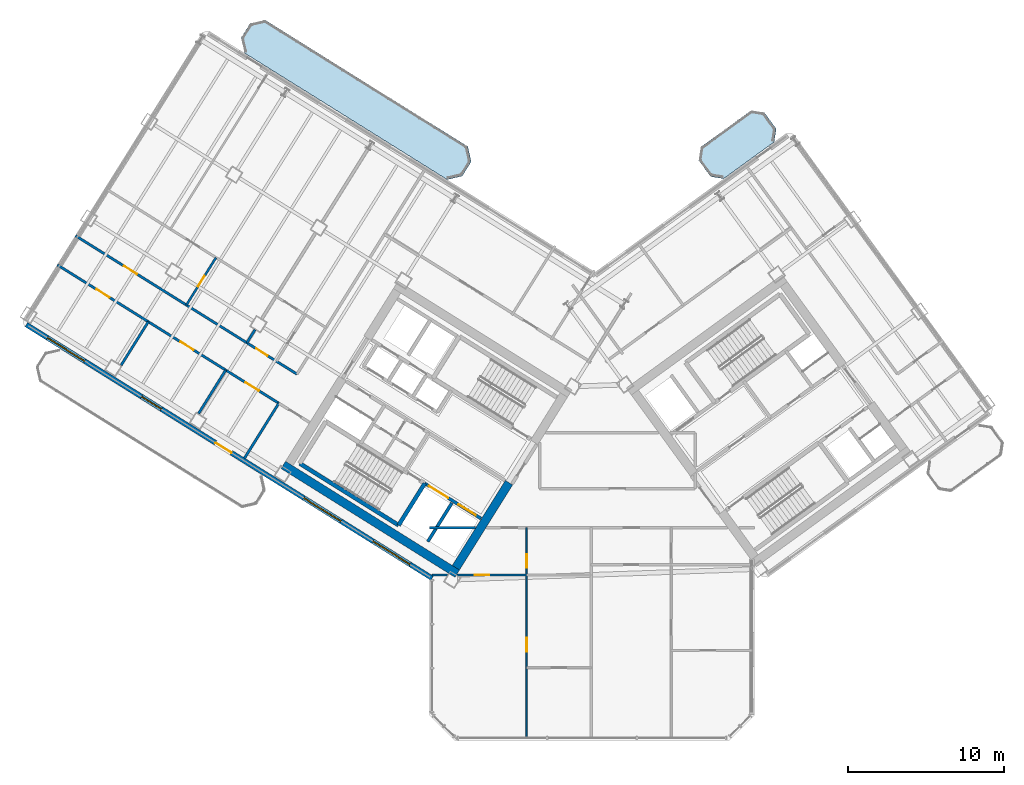
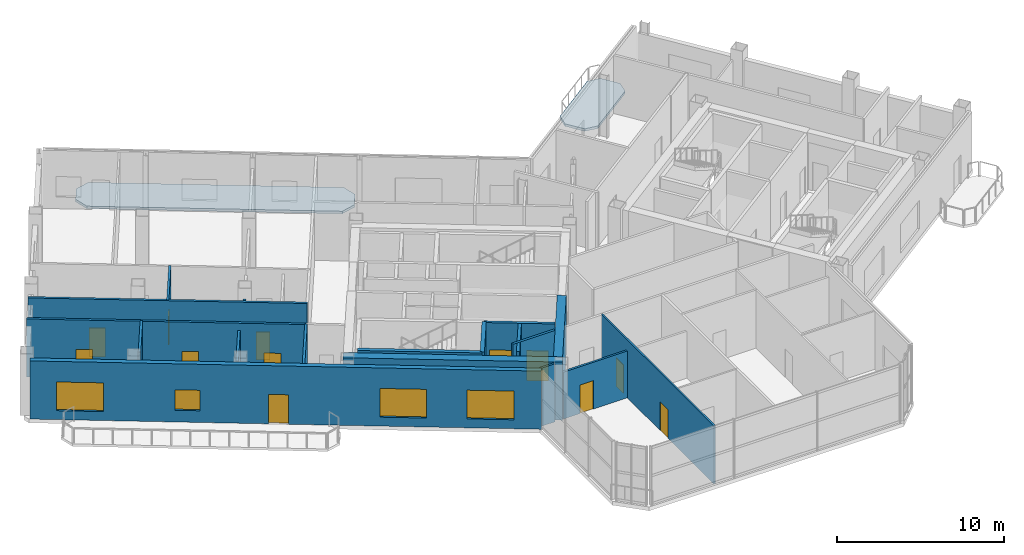
# One storey, part 11 of 21: 18 walls, 12 doors, 4 windows, 2 slabs, 16 openings.
"""IFC4 building model written with IfcOpenShell, lengths in metres."""

import ifcopenshell
import ifcopenshell.guid

model = None  # the IFC model being written
_history = None  # IfcOwnerHistory: only IFC2X3 demands one
_inside = {}  # id of a spatial element -> (the spatial element, [elements in it])
_under = {}  # id of a project, library or spatial element -> (it, [spatial elements below it])
_declared = {}  # id of a project -> (the project, [libraries it declares])
_typed = {}  # id of a type object -> (the type object, [elements of that type])
_made_of = {}  # id of a material, layer set ... -> (it, [elements and type objects made of it])


def new_model(schema):
    """Start an empty IFC model of exactly this schema.

    Asked for "IFC4X3", IfcOpenShell would pick the latest addendum, in which some entities
    have other attributes; the version numbers below select the first issue.
    IFC2X3 requires an IfcOwnerHistory on every rooted entity: one is made here for all.
    """
    global model, _history
    if schema == "IFC4X3":
        model = ifcopenshell.file(schema_version=(4, 3, 0, 0))
    else:
        model = ifcopenshell.file(schema=schema)
    _inside.clear()
    _under.clear()
    _declared.clear()
    _typed.clear()
    _made_of.clear()
    _history = None
    if model.schema == "IFC2X3":
        org = make("IfcOrganization", Name="unknown")
        user = make(
            "IfcPersonAndOrganization",
            ThePerson=make("IfcPerson", FamilyName="unknown"),
            TheOrganization=org,
        )
        app = make(
            "IfcApplication",
            ApplicationDeveloper=org,
            Version="unknown",
            ApplicationFullName="unknown",
            ApplicationIdentifier="unknown",
        )
        _history = make(
            "IfcOwnerHistory",
            OwningUser=user,
            OwningApplication=app,
            ChangeAction="ADDED",
            CreationDate=0,
        )
    return model


def make(cls, **values):
    """One entity of the class cls with the attributes given. An attribute that is None is left unset."""
    return model.create_entity(
        cls, **{name: value for name, value in values.items() if value is not None}
    )


def rooted(cls, **values):
    """An entity with a GlobalId (a new one), such as an element, a storey or a relation."""
    return make(cls, GlobalId=ifcopenshell.guid.new(), OwnerHistory=_history, **values)


def si_unit(unit_type, name, prefix=None):
    """IfcSIUnit, for example si_unit("LENGTHUNIT", "METRE", prefix="MILLI")."""
    return make("IfcSIUnit", UnitType=unit_type, Prefix=prefix, Name=name)


def assignment(units):
    """IfcUnitAssignment: the units of a project."""
    return None if units is None else make("IfcUnitAssignment", Units=units)


def point(xyz):
    """IfcCartesianPoint."""
    return None if xyz is None else make("IfcCartesianPoint", Coordinates=xyz)


def direction(xyz):
    """IfcDirection."""
    return None if xyz is None else make("IfcDirection", DirectionRatios=xyz)


def frame(location, z_axis=None, x_axis=None):
    """IfcAxis2Placement3D, a coordinate frame: its origin and axes. An axis left out is left unset."""
    return make(
        "IfcAxis2Placement3D",
        Location=point(location),
        Axis=direction(z_axis),
        RefDirection=direction(x_axis),
    )


def frame_2d(location, x_axis=None):
    """IfcAxis2Placement2D, a coordinate frame in the plane: its origin and x axis."""
    return make(
        "IfcAxis2Placement2D", Location=point(location), RefDirection=direction(x_axis)
    )


def origin():
    """The frame at (0, 0, 0) with its axes left unset."""
    return frame((0.0, 0.0, 0.0))


def place(relative_to, where):
    """IfcLocalPlacement: puts the frame where relative to a parent placement (None: the world)."""
    return make(
        "IfcLocalPlacement", PlacementRelTo=relative_to, RelativePlacement=where
    )


def context(
    kind, dimensions, precision=None, world=None, true_north=None, identifier=None
):
    """IfcGeometricRepresentationContext, for example the 3D "Model" context."""
    return make(
        "IfcGeometricRepresentationContext",
        ContextIdentifier=identifier,
        ContextType=kind,
        CoordinateSpaceDimension=dimensions,
        Precision=precision,
        WorldCoordinateSystem=world,
        TrueNorth=true_north,
    )


def subcontext(parent, identifier, kind, view, scale=None):
    """IfcGeometricRepresentationSubContext, for example "Body" below "Model"."""
    return make(
        "IfcGeometricRepresentationSubContext",
        ContextIdentifier=identifier,
        ContextType=kind,
        ParentContext=parent,
        TargetScale=scale,
        TargetView=view,
    )


def project(units=None, contexts=None):
    """IfcProject with its units and contexts."""
    return rooted(
        "IfcProject",
        Name="project",
        RepresentationContexts=contexts,
        UnitsInContext=assignment(units),
    )


def spatial(cls, under=None, at=None, **own):
    """A site, building, storey or space (cls), placed at a placement, below another one or the project."""
    s = rooted(cls, ObjectPlacement=at, **own)
    if under is not None:
        _under.setdefault(under.id(), (under, []))[1].append(s)
    return s


def polyline(points):
    """IfcPolyline through the points."""
    return make("IfcPolyline", Points=[point(p) for p in points])


def profile(cls, at=None, kind="AREA", **sizes):
    """A parametric profile (cls). Its sizes go by their IFC names, for example OverallWidth=200.0."""
    return make(cls, ProfileType=kind, Position=at, **sizes)


def rectangle(**sizes):
    """IfcRectangleProfileDef."""
    return profile("IfcRectangleProfileDef", **sizes)


def outline(outer, holes=None, kind="AREA"):
    """IfcArbitraryClosedProfileDef: a profile drawn as a closed curve; with holes, ...WithVoids."""
    if holes is None:
        return make("IfcArbitraryClosedProfileDef", ProfileType=kind, OuterCurve=outer)
    return make(
        "IfcArbitraryProfileDefWithVoids",
        ProfileType=kind,
        OuterCurve=outer,
        InnerCurves=holes,
    )


def extrude(swept, where, along, depth):
    """IfcExtrudedAreaSolid: the profile swept, set in the frame where, extruded along a direction by depth."""
    return make(
        "IfcExtrudedAreaSolid",
        SweptArea=swept,
        Position=where,
        ExtrudedDirection=direction(along),
        Depth=depth,
    )


def shape(context_of_items, identifier, shape_type, items):
    """IfcShapeRepresentation: the items that make up one representation, for example the "Body"."""
    return make(
        "IfcShapeRepresentation",
        ContextOfItems=context_of_items,
        RepresentationIdentifier=identifier,
        RepresentationType=shape_type,
        Items=items,
    )


def source(mapping_origin, context_of_items, identifier, shape_type, items):
    """IfcRepresentationMap: a shape defined once, which mapped items show again and again."""
    return make(
        "IfcRepresentationMap",
        MappingOrigin=mapping_origin,
        MappedRepresentation=shape(context_of_items, identifier, shape_type, items),
    )


def transform(
    local_origin,
    x_axis=None,
    y_axis=None,
    z_axis=None,
    scale=None,
    scale2=None,
    scale3=None,
    uniform=True,
):
    """IfcCartesianTransformationOperator3D, or its non-uniform kind. x_axis, y_axis, z_axis: its Axis1, 2, 3."""
    if uniform:
        return make(
            "IfcCartesianTransformationOperator3D",
            Axis1=direction(x_axis),
            Axis2=direction(y_axis),
            LocalOrigin=point(local_origin),
            Scale=scale,
            Axis3=direction(z_axis),
        )
    return make(
        "IfcCartesianTransformationOperator3DnonUniform",
        Axis1=direction(x_axis),
        Axis2=direction(y_axis),
        LocalOrigin=point(local_origin),
        Scale=scale,
        Axis3=direction(z_axis),
        Scale2=scale2,
        Scale3=scale3,
    )


def mapped(mapping_source, mapping_target):
    """IfcMappedItem: shows the shape of a source again, moved by a transform."""
    return make(
        "IfcMappedItem", MappingSource=mapping_source, MappingTarget=mapping_target
    )


def material(Name=None, Category=None):
    """IfcMaterial."""
    return make("IfcMaterial", Name=Name, Category=Category)


def layer(
    of_material, thickness, ventilated=None, Name=None, Category=None, Priority=None
):
    """IfcMaterialLayer: one layer of a wall or slab, of a material (None: an air gap)."""
    return make(
        "IfcMaterialLayer",
        Material=of_material,
        LayerThickness=thickness,
        IsVentilated=ventilated,
        Name=Name,
        Category=Category,
        Priority=Priority,
    )


def layer_set(layers, Name=None):
    """IfcMaterialLayerSet."""
    return make("IfcMaterialLayerSet", MaterialLayers=layers, LayerSetName=Name)


def made_of(thing, what):
    """Note that an element or type object is made of a material, layer set ...; save() writes the relation."""
    if what is not None:
        _made_of.setdefault(what.id(), (what, []))[1].append(thing)
    return thing


def type_object(cls, material=None, **own):
    """A type object (cls), such as IfcWallType, which elements share."""
    return made_of(rooted(cls, **own), material)


def element(
    cls,
    number,
    at=None,
    inside=None,
    cuts=None,
    type_object=None,
    material=None,
    context=None,
    identifier="Body",
    shape_type=None,
    held_by="IfcProductDefinitionShape",
    body=None,
    shapes=None,
    **own,
):
    """One element of the class cls, such as IfcWall. Its Tag is "e" and its number.

    at: its placement. inside: the storey or other place that contains it. cuts: it is an
    opening in that element (IfcRelVoidsElement). A single representation is given by context,
    identifier, shape_type and body (its items); several are given by shapes. held_by: the class
    of the entity that holds the representations. save() writes the other relations.
    """
    e = rooted(cls, Tag="e%d" % number, ObjectPlacement=at, **own)
    if body is not None:
        shapes = [shape(context, identifier, shape_type, body)]
    if shapes is not None:
        e.Representation = make(held_by, Representations=shapes)
    if inside is not None:
        _inside.setdefault(inside.id(), (inside, []))[1].append(e)
    if cuts is not None:
        rooted(
            "IfcRelVoidsElement", RelatingBuildingElement=cuts, RelatedOpeningElement=e
        )
    if type_object is not None:
        _typed.setdefault(type_object.id(), (type_object, []))[1].append(e)
    return made_of(e, material)


def fill(opening, filler):
    """IfcRelFillsElement: the door or window that sits in an opening."""
    return rooted(
        "IfcRelFillsElement",
        RelatingOpeningElement=opening,
        RelatedBuildingElement=filler,
    )


def aggregate(whole, parts):
    """IfcRelAggregates: a whole, such as a stair, and the parts it consists of."""
    return rooted("IfcRelAggregates", RelatingObject=whole, RelatedObjects=parts)


def save(model, path):
    """Write the relations noted so far, then the file.

    IfcRelAggregates (storeys below a building ...), IfcRelContainedInSpatialStructure (elements
    in a storey), IfcRelDefinesByType, IfcRelAssociatesMaterial and IfcRelDeclares: one each for
    every whole, place, type object, material and project.
    """
    for whole, parts in _under.values():
        aggregate(whole, parts)
    for where, things in _inside.values():
        rooted(
            "IfcRelContainedInSpatialStructure",
            RelatedElements=things,
            RelatingStructure=where,
        )
    for kind, things in _typed.values():
        rooted("IfcRelDefinesByType", RelatedObjects=things, RelatingType=kind)
    for what, things in _made_of.values():
        rooted("IfcRelAssociatesMaterial", RelatedObjects=things, RelatingMaterial=what)
    for by, libraries in _declared.values():
        rooted("IfcRelDeclares", RelatingContext=by, RelatedDefinitions=libraries)
    model.write(path)


model = new_model("IFC4")

# Units and contexts
model_context = context("Model", 3, precision=1e-05, world=origin(), true_north=direction((0.0, 1.0)))
body_context = subcontext(model_context, "Body", "Model", "MODEL_VIEW")
ifc_project = project(units=[si_unit("LENGTHUNIT", "METRE"), si_unit("AREAUNIT", "SQUARE_METRE"), si_unit("VOLUMEUNIT", "CUBIC_METRE"), si_unit("PLANEANGLEUNIT", "RADIAN"), si_unit("MASSUNIT", "GRAM", prefix="KILO")], contexts=[model_context])

# Site, building, storey
site_placement = place(None, origin())
site = spatial("IfcSite", under=ifc_project, at=site_placement, CompositionType="ELEMENT")
building_placement = place(site_placement, origin())
building = spatial("IfcBuilding", under=site, at=building_placement, Name="Tlacorven Tower", CompositionType="ELEMENT")
storey_placement = place(building_placement, frame((0.0, 0.0, 199.5)))
storey = spatial("IfcBuildingStorey", under=building, at=storey_placement, Name="L50", CompositionType="ELEMENT", Elevation=199.5)

# Slabs
ifc_material_1 = material(Name="Precast concrete C45/55", Category="concrete")
ifc_layer_1 = layer(ifc_material_1, 0.179931640625)
ifc_layer_set_1 = layer_set([ifc_layer_1], Name="Precast concrete C45/55")
slab_type = type_object("IfcSlabType", Name="SL-BAL-180", PredefinedType="USERDEFINED", material=ifc_layer_set_1)
slab_1_placement = place(storey_placement, frame((0.0, 0.0, -0.179931640625)))
element("IfcSlab", 1, at=slab_1_placement, inside=storey, type_object=slab_type, Name="L50 West Wing Balcony Ribbon IN", ObjectType="BALCONY SLAB", PredefinedType="USERDEFINED", context=body_context, shape_type="SweptSolid", body=[
    extrude(outline(polyline([(34.0419921875, 39.835693359375), (21.06689453125, 47.943359375), (20.102294921875, 47.720703125), (19.52197265625, 46.7919921875), (19.744873046875, 45.827392578125), (32.719970703125, 37.7197265625), (33.6845703125, 37.9423828125), (34.2646484375, 38.87109375), (34.0419921875, 39.835693359375)])), origin(), (0.0, 0.0, 1.0), 0.179931640625),
])
slab_2_placement = place(storey_placement, frame((0.0, 0.0, -0.179931640625)))
element("IfcSlab", 2, at=slab_2_placement, inside=storey, type_object=slab_type, Name="L50 East Wing Balcony Ribbon IN", ObjectType="BALCONY SLAB", PredefinedType="USERDEFINED", context=body_context, shape_type="SweptSolid", body=[
    extrude(outline(polyline([(50.433837890625, 37.77880859375), (53.669921875, 40.1298828125), (53.802490234375, 40.968017578125), (53.04150390625, 42.015625), (52.203369140625, 42.1484375), (48.96728515625, 39.79736328125), (48.83447265625, 38.959228515625), (49.595703125, 37.91162109375), (50.433837890625, 37.77880859375)])), origin(), (0.0, 0.0, 1.0), 0.179931640625),
])

# Walls
ifc_material_2 = material(Name="Concrete C60/75", Category="concrete")
ifc_layer_2 = layer(ifc_material_2, 0.550048828125)
ifc_layer_set_2 = layer_set([ifc_layer_2], Name="Concrete C60/75")
wall_type_1 = type_object("IfcWallType", Name="WL-COR-550", PredefinedType="SHEAR", material=ifc_layer_set_2)
wall_1_placement = place(storey_placement, frame((33.3662109375, 12.4765625, 0.0), z_axis=(0.0, 0.0, 1.0), x_axis=(-0.848047359947, 0.529920442413, 0.0)))
element("IfcWall", 3, at=wall_1_placement, inside=storey, type_object=wall_type_1, Name="L50 W core shear wall S2", PredefinedType="SHEAR", context=body_context, shape_type="SweptSolid", body=[
    extrude(rectangle(XDim=13.139892578125, YDim=0.550048828125, at=frame_2d((6.56982421875, 0.0))), origin(), (0.0, 0.0, 1.0), 4.25),
])
wall_2_placement = place(storey_placement, frame((36.683349609375, 18.30419921875, 0.0), z_axis=(0.0, 0.0, 1.0), x_axis=(-0.529896466841, -0.848062341122, 0.0)))
element("IfcWall", 4, at=wall_2_placement, inside=storey, type_object=wall_type_1, Name="L50 W core end wall E1.2", PredefinedType="SHEAR", context=body_context, shape_type="SweptSolid", body=[
    extrude(rectangle(XDim=6.4248046875, YDim=0.550048828125, at=frame_2d((3.21240234375, 0.0))), origin(), (0.0, 0.0, 1.0), 4.25),
])
ifc_material_3 = material(Name="Gypsum plasterboard acoustic partition", Category="gypsum")
ifc_layer_3 = layer(ifc_material_3, 0.159912109375)
ifc_layer_set_3 = layer_set([ifc_layer_3], Name="Gypsum plasterboard acoustic partition")
wall_type_2 = type_object("IfcWallType", Name="WL-DEM-160", PredefinedType="PARTITIONING", material=ifc_layer_set_3)
wall_3_placement = place(storey_placement, frame((21.9384765625, 23.390625, 0.0), z_axis=(0.0, 0.0, 1.0), x_axis=(-0.529940769753, -0.848034657637, 0.0)))
element("IfcWall", 5, at=wall_3_placement, inside=storey, type_object=wall_type_2, Name="L50 partition 48", PredefinedType="PARTITIONING", context=body_context, shape_type="SweptSolid", body=[
    extrude(rectangle(XDim=4.14990234375, YDim=0.159912109375, at=frame_2d((2.074951171875, 0.0))), origin(), (0.0, 0.0, 1.0), 4.239990234375),
])

# Wall, openings, doors
wall_4_placement = place(storey_placement, frame((23.104248046875, 25.25634765625, 0.0), z_axis=(0.0, 0.0, 1.0), x_axis=(-0.848041752158, 0.529929416617, 0.0)))
wall_4 = element("IfcWall", 6, at=wall_4_placement, inside=storey, type_object=wall_type_2, Name="L50 Wing W Corridor South Wall", PredefinedType="PARTITIONING", context=body_context, shape_type="SweptSolid", body=[
    extrude(rectangle(XDim=16.72998046875, YDim=0.159912109375, at=frame_2d((8.364990234375, 0.0))), origin(), (0.0, 0.0, 1.0), 4.239990234375),
])
opening_1_placement = place(wall_4_placement, frame((2.219970703125, 0.0, 0.0)))
opening_1 = element("IfcOpeningElement", 7, at=opening_1_placement, cuts=wall_4, Name="Opening D19", PredefinedType="OPENING", context=body_context, shape_type="SweptSolid", body=[
    extrude(rectangle(XDim=0.860107421875, YDim=2.050048828125, at=frame_2d((0.43017578125, 1.02490234375))), frame((0.0, 0.08984375, 0.0), z_axis=(0.0, -1.0, 0.0), x_axis=(1.0, 0.0, 0.0)), (0.0, 0.0, 1.0), 0.179931640625),
])
opening_2_placement = place(wall_4_placement, frame((12.083984375, 0.0, 0.0)))
opening_2 = element("IfcOpeningElement", 8, at=opening_2_placement, cuts=wall_4, Name="Opening D11", PredefinedType="OPENING", context=body_context, shape_type="SweptSolid", body=[
    extrude(rectangle(XDim=1.0, YDim=2.10009765625, at=frame_2d((0.5, 1.050048828125))), frame((0.0, 0.08984375, 0.0), z_axis=(0.0, -1.0, 0.0), x_axis=(1.0, 0.0, 0.0)), (0.0, 0.0, 1.0), 0.179931640625),
])
ifc_material_4 = material(Name="Fire-rated steel door assembly", Category="steel")
door_type_1 = type_object("IfcDoorType", Name="DR-RSR-FD60-0860", OperationType="NOTDEFINED", PredefinedType="DOOR", material=ifc_material_4)
shared_shape_1 = source(origin(), body_context, "Body", "SweptSolid", [
    extrude(rectangle(XDim=0.860107421875, YDim=2.050048828125, at=frame_2d((0.43017578125, 1.02490234375))), frame((0.0, 0.02490234375, 0.0), z_axis=(0.0, -1.0, 0.0), x_axis=(1.0, 0.0, 0.0)), (0.0, 0.0, 1.0), 0.050048828125),
])
door_1_placement = place(opening_1_placement, origin())
door_1 = element("IfcDoor", 9, at=door_1_placement, inside=storey, type_object=door_type_1, Name="L50 door 029", OperationType="SINGLE_SWING_RIGHT", OverallHeight=2.050048828125, OverallWidth=0.860107421875, PredefinedType="DOOR", context=body_context, shape_type="MappedRepresentation", body=[
    mapped(shared_shape_1, transform((0.0, 0.0, 0.0), scale=1.0)),
])
fill(opening_1, door_1)
door_type_2 = type_object("IfcDoorType", Name="DR-FLT-FD60-1000", OperationType="NOTDEFINED", PredefinedType="DOOR", material=ifc_material_4)
shared_shape_2 = source(origin(), body_context, "Body", "SweptSolid", [
    extrude(rectangle(XDim=1.0, YDim=2.10009765625, at=frame_2d((0.5, 1.050048828125))), frame((0.0, 0.02490234375, 0.0), z_axis=(0.0, -1.0, 0.0), x_axis=(1.0, 0.0, 0.0)), (0.0, 0.0, 1.0), 0.050048828125),
])
door_2_placement = place(opening_2_placement, origin())
door_2 = element("IfcDoor", 10, at=door_2_placement, inside=storey, type_object=door_type_2, Name="L50 door 033", OperationType="SINGLE_SWING_RIGHT", OverallHeight=2.10009765625, OverallWidth=1.0, PredefinedType="DOOR", context=body_context, shape_type="MappedRepresentation", body=[
    mapped(shared_shape_2, transform((0.0, 0.0, 0.0), scale=1.0)),
])
fill(opening_2, door_2)

wall_5_placement = place(storey_placement, frame((21.9384765625, 23.390625, 0.0), z_axis=(0.0, 0.0, 1.0), x_axis=(-0.848045850158, 0.529922858565, 0.0)))
wall_5 = element("IfcWall", 11, at=wall_5_placement, inside=storey, type_object=wall_type_2, Name="L50 Wing W Corridor North Wall", PredefinedType="PARTITIONING", context=body_context, shape_type="SweptSolid", body=[
    extrude(rectangle(XDim=16.730224609375, YDim=0.159912109375, at=frame_2d((8.365234375, 0.0))), origin(), (0.0, 0.0, 1.0), 4.239990234375),
])
opening_3_placement = place(wall_5_placement, frame((1.5048828125, 0.0, 0.0)))
opening_3 = element("IfcOpeningElement", 12, at=opening_3_placement, cuts=wall_5, Name="Opening D11", PredefinedType="OPENING", context=body_context, shape_type="SweptSolid", body=[
    extrude(rectangle(XDim=1.0, YDim=2.10009765625, at=frame_2d((0.5, 1.050048828125))), frame((0.0, 0.08984375, 0.0), z_axis=(0.0, -1.0, 0.0), x_axis=(1.0, 0.0, 0.0)), (0.0, 0.0, 1.0), 0.179931640625),
])
opening_4_placement = place(wall_5_placement, frame((6.4345703125, 0.0, 0.0)))
opening_4 = element("IfcOpeningElement", 13, at=opening_4_placement, cuts=wall_5, Name="Opening D11", PredefinedType="OPENING", context=body_context, shape_type="SweptSolid", body=[
    extrude(rectangle(XDim=1.0, YDim=2.10009765625, at=frame_2d((0.5, 1.050048828125))), frame((0.0, 0.08984375, 0.0), z_axis=(0.0, -1.0, 0.0), x_axis=(1.0, 0.0, 0.0)), (0.0, 0.0, 1.0), 0.179931640625),
])
opening_5_placement = place(wall_5_placement, frame((12.784423828125, 0.0, 0.0)))
opening_5 = element("IfcOpeningElement", 14, at=opening_5_placement, cuts=wall_5, Name="Opening D11", PredefinedType="OPENING", context=body_context, shape_type="SweptSolid", body=[
    extrude(rectangle(XDim=1.0, YDim=2.10009765625, at=frame_2d((0.5, 1.050048828125))), frame((0.0, 0.08984375, 0.0), z_axis=(0.0, -1.0, 0.0), x_axis=(1.0, 0.0, 0.0)), (0.0, 0.0, 1.0), 0.179931640625),
])
door_3_placement = place(opening_3_placement, origin())
door_3 = element("IfcDoor", 15, at=door_3_placement, inside=storey, type_object=door_type_2, Name="L50 door 026", OperationType="SINGLE_SWING_LEFT", OverallHeight=2.10009765625, OverallWidth=1.0, PredefinedType="DOOR", context=body_context, shape_type="MappedRepresentation", body=[
    mapped(shared_shape_2, transform((0.0, 0.0, 0.0), scale=1.0)),
])
fill(opening_3, door_3)
door_4_placement = place(opening_4_placement, origin())
door_4 = element("IfcDoor", 16, at=door_4_placement, inside=storey, type_object=door_type_2, Name="L50 door 027", OperationType="SINGLE_SWING_RIGHT", OverallHeight=2.10009765625, OverallWidth=1.0, PredefinedType="DOOR", context=body_context, shape_type="MappedRepresentation", body=[
    mapped(shared_shape_2, transform((0.0, 0.0, 0.0), scale=1.0)),
])
fill(opening_4, door_4)
door_5_placement = place(opening_5_placement, origin())
door_5 = element("IfcDoor", 17, at=door_5_placement, inside=storey, type_object=door_type_2, Name="L50 door 028", OperationType="SINGLE_SWING_LEFT", OverallHeight=2.10009765625, OverallWidth=1.0, PredefinedType="DOOR", context=body_context, shape_type="MappedRepresentation", body=[
    mapped(shared_shape_2, transform((0.0, 0.0, 0.0), scale=1.0)),
])
fill(opening_5, door_5)

# Walls
wall_6_placement = place(storey_placement, frame((18.537841796875, 25.515625, 0.0), z_axis=(0.0, 0.0, 1.0), x_axis=(-0.529938869374, -0.84803584519, 0.0)))
element("IfcWall", 18, at=wall_6_placement, inside=storey, type_object=wall_type_2, Name="L50 partition 52", PredefinedType="PARTITIONING", context=body_context, shape_type="SweptSolid", body=[
    extrude(rectangle(XDim=3.2880859375, YDim=0.159912109375, at=frame_2d((1.64404296875, 0.0))), origin(), (0.0, 0.0, 1.0), 3.72509765625),
])
wall_7_placement = place(storey_placement, frame((13.577392578125, 28.615234375, 0.0), z_axis=(0.0, 0.0, 1.0), x_axis=(-0.529885466561, -0.848069214349, 0.0)))
element("IfcWall", 19, at=wall_7_placement, inside=storey, type_object=wall_type_2, Name="L50 partition 53", PredefinedType="PARTITIONING", context=body_context, shape_type="SweptSolid", body=[
    extrude(rectangle(XDim=3.287841796875, YDim=0.159912109375, at=frame_2d((1.64404296875, 0.0))), origin(), (0.0, 0.0, 1.0), 4.239990234375),
])
wall_8_placement = place(storey_placement, frame((20.413818359375, 28.102783203125, 0.0), z_axis=(0.0, 0.0, 1.0), x_axis=(-0.529998940003, -0.847998304005, 0.0)))
element("IfcWall", 20, at=wall_8_placement, inside=storey, type_object=wall_type_2, Name="L50 WS Demising Wall 1", PredefinedType="PARTITIONING", context=body_context, shape_type="SweptSolid", body=[
    extrude(rectangle(XDim=0.988037109375, YDim=0.159912109375, at=frame_2d((0.494140625, 0.0))), origin(), (0.0, 0.0, 1.0), 3.72509765625),
])
wall_9_placement = place(storey_placement, frame((31.60009765625, 15.419921875, 0.0), z_axis=(0.0, 0.0, 1.0), x_axis=(1.0, 0.0, 0.0)))
element("IfcWall", 21, at=wall_9_placement, inside=storey, type_object=wall_type_2, Name="L50 Knuckle Corridor South Wall", PredefinedType="PARTITIONING", context=body_context, shape_type="SweptSolid", body=[
    extrude(rectangle(XDim=2.925048828125, YDim=0.159912109375, at=frame_2d((1.46240234375, 0.0))), origin(), (0.0, 0.0, 1.0), 4.239990234375),
])

# Wall, openings, door, windows
ifc_layer_4 = layer(ifc_material_1, 0.320068359375)
ifc_layer_set_4 = layer_set([ifc_layer_4], Name="Precast concrete C45/55")
wall_type_3 = type_object("IfcWallType", Name="WL-EXT-320", PredefinedType="STANDARD", material=ifc_layer_set_4)
wall_10_placement = place(storey_placement, frame((31.760009765625, 12.18310546875, 0.0), z_axis=(0.0, 0.0, 1.0), x_axis=(-0.848047074256, 0.529920899612, 0.0)))
wall_10 = element("IfcWall", 22, at=wall_10_placement, inside=storey, type_object=wall_type_3, Name="L50 Masonry-Frame Recessed Facade Wall 1", PredefinedType="STANDARD", context=body_context, shape_type="SweptSolid", body=[
    extrude(rectangle(XDim=30.652099609375, YDim=0.320068359375, at=frame_2d((15.326171875, 0.0))), origin(), (0.0, 0.0, 1.0), 4.25),
])
opening_6_placement = place(wall_10_placement, frame((15.165771484375, 0.0, 0.0)))
opening_6 = element("IfcOpeningElement", 23, at=opening_6_placement, cuts=wall_10, Name="Opening D05", PredefinedType="OPENING", context=body_context, shape_type="SweptSolid", body=[
    extrude(rectangle(XDim=1.199951171875, YDim=2.14990234375, at=frame_2d((0.60009765625, 1.074951171875))), frame((0.0, 0.169921875, 0.0), z_axis=(0.0, -1.0, 0.0), x_axis=(1.0, 0.0, 0.0)), (0.0, 0.0, 1.0), 0.340087890625),
])
opening_7_placement = place(wall_10_placement, frame((1.66455078125, 0.0, 0.64990234375)))
opening_7 = element("IfcOpeningElement", 24, at=opening_7_placement, cuts=wall_10, Name="Opening WN13", PredefinedType="OPENING", context=body_context, shape_type="SweptSolid", body=[
    extrude(rectangle(XDim=2.800048828125, YDim=2.10009765625, at=frame_2d((1.39990234375, 1.050048828125))), frame((0.0, 0.169921875, 0.0), z_axis=(0.0, -1.0, 0.0), x_axis=(1.0, 0.0, 0.0)), (0.0, 0.0, 1.0), 0.340087890625),
])
opening_8_placement = place(wall_10_placement, frame((6.893798828125, 0.0, 0.64990234375)))
opening_8 = element("IfcOpeningElement", 25, at=opening_8_placement, cuts=wall_10, Name="Opening WN13", PredefinedType="OPENING", context=body_context, shape_type="SweptSolid", body=[
    extrude(rectangle(XDim=2.800048828125, YDim=2.10009765625, at=frame_2d((1.39990234375, 1.050048828125))), frame((0.0, 0.169921875, 0.0), z_axis=(0.0, -1.0, 0.0), x_axis=(1.0, 0.0, 0.0)), (0.0, 0.0, 1.0), 0.340087890625),
])
opening_9_placement = place(wall_10_placement, frame((20.452880859375, 0.0, 0.85009765625)))
opening_9 = element("IfcOpeningElement", 26, at=opening_9_placement, cuts=wall_10, Name="Opening WN02", PredefinedType="OPENING", context=body_context, shape_type="SweptSolid", body=[
    extrude(rectangle(XDim=1.5, YDim=1.5, at=frame_2d((0.75, 0.75))), frame((0.0, 0.169921875, 0.0), z_axis=(0.0, -1.0, 0.0), x_axis=(1.0, 0.0, 0.0)), (0.0, 0.0, 1.0), 0.340087890625),
])
opening_10_placement = place(wall_10_placement, frame((26.25830078125, 0.0, 0.64990234375)))
opening_10 = element("IfcOpeningElement", 27, at=opening_10_placement, cuts=wall_10, Name="Opening WN13", PredefinedType="OPENING", context=body_context, shape_type="SweptSolid", body=[
    extrude(rectangle(XDim=2.800048828125, YDim=2.10009765625, at=frame_2d((1.39990234375, 1.050048828125))), frame((0.0, 0.169921875, 0.0), z_axis=(0.0, -1.0, 0.0), x_axis=(1.0, 0.0, 0.0)), (0.0, 0.0, 1.0), 0.340087890625),
])
ifc_material_5 = material(Name="Powder-coated aluminium and timber door", Category="wood")
door_type_3 = type_object("IfcDoorType", Name="DR-EXT-BALC-1200", OperationType="NOTDEFINED", PredefinedType="DOOR", material=ifc_material_5)
shared_shape_3 = source(origin(), body_context, "Body", "SweptSolid", [
    extrude(rectangle(XDim=1.199951171875, YDim=2.14990234375, at=frame_2d((0.60009765625, 1.074951171875))), frame((0.0, 0.02490234375, 0.0), z_axis=(0.0, -1.0, 0.0), x_axis=(1.0, 0.0, 0.0)), (0.0, 0.0, 1.0), 0.050048828125),
])
door_6_placement = place(opening_6_placement, origin())
door_6 = element("IfcDoor", 28, at=door_6_placement, inside=storey, type_object=door_type_3, Name="L50 Outdoor Access Door BAL-L50-W-OUT", OperationType="SINGLE_SWING_LEFT", OverallHeight=2.14990234375, OverallWidth=1.199951171875, PredefinedType="DOOR", context=body_context, shape_type="MappedRepresentation", body=[
    mapped(shared_shape_3, transform((0.0, 0.0, 0.0), scale=1.0)),
])
fill(opening_6, door_6)
ifc_material_6 = material(Name="Dark solar low-E double glazing in anodised aluminium frame", Category="aluminium")
window_type_1 = type_object("IfcWindowType", Name="WN-APT-1500X1650", PartitioningType="SINGLE_PANEL", PredefinedType="WINDOW", material=ifc_material_6)
shared_shape_4 = source(origin(), body_context, "Body", "SweptSolid", [
    extrude(rectangle(XDim=1.5, YDim=1.5, at=frame_2d((0.75, 0.75))), frame((0.0, 0.030029296875, 0.0), z_axis=(0.0, -1.0, 0.0), x_axis=(1.0, 0.0, 0.0)), (0.0, 0.0, 1.0), 0.06005859375),
])
window_1_placement = place(opening_9_placement, origin())
window_1 = element("IfcWindow", 29, at=window_1_placement, inside=storey, type_object=window_type_1, Name="L50 Recessed Masonry-Frame Window L50-01.3", OverallHeight=1.5, OverallWidth=1.5, PartitioningType="SINGLE_PANEL", PredefinedType="WINDOW", context=body_context, shape_type="MappedRepresentation", body=[
    mapped(shared_shape_4, transform((0.0, 0.0, 0.0), scale=1.0)),
])
fill(opening_9, window_1)
window_type_2 = type_object("IfcWindowType", Name="WN-SKY-2800X2400", PartitioningType="SINGLE_PANEL", PredefinedType="WINDOW", material=ifc_material_6)
shared_shape_5 = source(origin(), body_context, "Body", "SweptSolid", [
    extrude(rectangle(XDim=2.800048828125, YDim=2.10009765625, at=frame_2d((1.39990234375, 1.050048828125))), frame((0.0, 0.030029296875, 0.0), z_axis=(0.0, -1.0, 0.0), x_axis=(1.0, 0.0, 0.0)), (0.0, 0.0, 1.0), 0.06005859375),
])
window_2_placement = place(opening_7_placement, origin())
window_2 = element("IfcWindow", 30, at=window_2_placement, inside=storey, type_object=window_type_2, Name="L50 Recessed Masonry-Frame Window L50-01.1", OverallHeight=2.10009765625, OverallWidth=2.800048828125, PartitioningType="SINGLE_PANEL", PredefinedType="WINDOW", context=body_context, shape_type="MappedRepresentation", body=[
    mapped(shared_shape_5, transform((0.0, 0.0, 0.0), scale=1.0)),
])
fill(opening_7, window_2)
window_3_placement = place(opening_8_placement, origin())
window_3 = element("IfcWindow", 31, at=window_3_placement, inside=storey, type_object=window_type_2, Name="L50 Recessed Masonry-Frame Window L50-01.2", OverallHeight=2.10009765625, OverallWidth=2.800048828125, PartitioningType="SINGLE_PANEL", PredefinedType="WINDOW", context=body_context, shape_type="MappedRepresentation", body=[
    mapped(shared_shape_5, transform((0.0, 0.0, 0.0), scale=1.0)),
])
fill(opening_8, window_3)
window_4_placement = place(opening_10_placement, origin())
window_4 = element("IfcWindow", 32, at=window_4_placement, inside=storey, type_object=window_type_2, Name="L50 Recessed Masonry-Frame Window L50-01.4", OverallHeight=2.10009765625, OverallWidth=2.800048828125, PartitioningType="SINGLE_PANEL", PredefinedType="WINDOW", context=body_context, shape_type="MappedRepresentation", body=[
    mapped(shared_shape_5, transform((0.0, 0.0, 0.0), scale=1.0)),
])
fill(opening_10, window_4)

# Wall, openings, doors
ifc_material_7 = material(Name="Gypsum plasterboard partition", Category="gypsum")
ifc_layer_5 = layer(ifc_material_7, 0.110107421875)
ifc_layer_set_5 = layer_set([ifc_layer_5], Name="Gypsum plasterboard partition")
wall_type_4 = type_object("IfcWallType", Name="WL-INT-110", PredefinedType="PARTITIONING", material=ifc_layer_set_5)
wall_11_placement = place(storey_placement, frame((37.81298828125, 1.9599609375, 0.0), z_axis=(0.0, 0.0, 1.0), x_axis=(0.0, 1.0, 0.0)))
wall_11 = element("IfcWall", 33, at=wall_11_placement, inside=storey, type_object=wall_type_4, Name="L50 partition 73", PredefinedType="PARTITIONING", context=body_context, shape_type="SweptSolid", body=[
    extrude(rectangle(XDim=13.4599609375, YDim=0.110107421875, at=frame_2d((6.72998046875, 0.0))), origin(), (0.0, 0.0, 1.0), 4.239990234375),
])
opening_11_placement = place(wall_11_placement, frame((5.5, 0.0, 0.0)))
opening_11 = element("IfcOpeningElement", 34, at=opening_11_placement, cuts=wall_11, Name="Opening D12", PredefinedType="OPENING", context=body_context, shape_type="SweptSolid", body=[
    extrude(rectangle(XDim=0.919921875, YDim=2.080078125, at=frame_2d((0.4599609375, 1.0400390625))), frame((0.0, 0.06494140625, 0.0), z_axis=(0.0, -1.0, 0.0), x_axis=(1.0, 0.0, 0.0)), (0.0, 0.0, 1.0), 0.130126953125),
])
opening_12_placement = place(wall_11_placement, frame((10.889892578125, 0.0, 0.0)))
opening_12 = element("IfcOpeningElement", 35, at=opening_12_placement, cuts=wall_11, Name="Opening D13", PredefinedType="OPENING", context=body_context, shape_type="SweptSolid", body=[
    extrude(rectangle(XDim=0.8798828125, YDim=2.080078125, at=frame_2d((0.43994140625, 1.0400390625))), frame((0.0, 0.06494140625, 0.0), z_axis=(0.0, -1.0, 0.0), x_axis=(1.0, 0.0, 0.0)), (0.0, 0.0, 1.0), 0.130126953125),
])
door_type_4 = type_object("IfcDoorType", Name="DR-INT-WET-0880", OperationType="NOTDEFINED", PredefinedType="DOOR", material=ifc_material_5)
shared_shape_6 = source(origin(), body_context, "Body", "SweptSolid", [
    extrude(rectangle(XDim=0.8798828125, YDim=2.080078125, at=frame_2d((0.43994140625, 1.0400390625))), frame((0.0, 0.02490234375, 0.0), z_axis=(0.0, -1.0, 0.0), x_axis=(1.0, 0.0, 0.0)), (0.0, 0.0, 1.0), 0.050048828125),
])
door_7_placement = place(opening_12_placement, origin())
door_7 = element("IfcDoor", 36, at=door_7_placement, inside=storey, type_object=door_type_4, Name="L50 door 046", OperationType="SINGLE_SWING_RIGHT", OverallHeight=2.080078125, OverallWidth=0.8798828125, PredefinedType="DOOR", context=body_context, shape_type="MappedRepresentation", body=[
    mapped(shared_shape_6, transform((0.0, 0.0, 0.0), scale=1.0)),
])
fill(opening_12, door_7)
door_type_5 = type_object("IfcDoorType", Name="DR-INT-ROOM-0920", OperationType="NOTDEFINED", PredefinedType="DOOR", material=ifc_material_5)
shared_shape_7 = source(origin(), body_context, "Body", "SweptSolid", [
    extrude(rectangle(XDim=0.919921875, YDim=2.080078125, at=frame_2d((0.4599609375, 1.0400390625))), frame((0.0, 0.02490234375, 0.0), z_axis=(0.0, -1.0, 0.0), x_axis=(1.0, 0.0, 0.0)), (0.0, 0.0, 1.0), 0.050048828125),
])
door_8_placement = place(opening_11_placement, origin())
door_8 = element("IfcDoor", 37, at=door_8_placement, inside=storey, type_object=door_type_5, Name="L50 door 042", OperationType="SINGLE_SWING_RIGHT", OverallHeight=2.080078125, OverallWidth=0.919921875, PredefinedType="DOOR", context=body_context, shape_type="MappedRepresentation", body=[
    mapped(shared_shape_7, transform((0.0, 0.0, 0.0), scale=1.0)),
])
fill(opening_11, door_8)

# Wall, opening, door
ifc_material_8 = material(Name="Moisture-resistant gypsum plumbing wall", Category="gypsum")
ifc_layer_6 = layer(ifc_material_8, 0.139892578125)
ifc_layer_set_6 = layer_set([ifc_layer_6], Name="Moisture-resistant gypsum plumbing wall")
wall_type_5 = type_object("IfcWallType", Name="WL-PLM-140", PredefinedType="PLUMBINGWALL", material=ifc_layer_set_6)
wall_12_placement = place(storey_placement, frame((17.913330078125, 32.721435546875, 0.0), z_axis=(0.0, 0.0, 1.0), x_axis=(-0.529906983049, -0.848055770169, 0.0)))
wall_12 = element("IfcWall", 38, at=wall_12_placement, inside=storey, type_object=wall_type_5, Name="L50 partition 58", PredefinedType="PLUMBINGWALL", context=body_context, shape_type="SweptSolid", body=[
    extrude(rectangle(XDim=3.579833984375, YDim=0.139892578125, at=frame_2d((1.7900390625, 0.0))), origin(), (0.0, 0.0, 1.0), 4.239990234375),
])
opening_13_placement = place(wall_12_placement, frame((1.39990234375, 0.0, 0.0)))
opening_13 = element("IfcOpeningElement", 39, at=opening_13_placement, cuts=wall_12, Name="Opening D22", PredefinedType="OPENING", context=body_context, shape_type="SweptSolid", body=[
    extrude(rectangle(XDim=0.780029296875, YDim=2.050048828125, at=frame_2d((0.39013671875, 1.02490234375))), frame((0.0, 0.080078125, 0.0), z_axis=(0.0, -1.0, 0.0), x_axis=(1.0, 0.0, 0.0)), (0.0, 0.0, 1.0), 0.159912109375),
])
door_type_6 = type_object("IfcDoorType", Name="DR-INT-WET-0780", OperationType="NOTDEFINED", PredefinedType="DOOR", material=ifc_material_5)
shared_shape_8 = source(origin(), body_context, "Body", "SweptSolid", [
    extrude(rectangle(XDim=0.780029296875, YDim=2.050048828125, at=frame_2d((0.39013671875, 1.02490234375))), frame((0.0, 0.02490234375, 0.0), z_axis=(0.0, -1.0, 0.0), x_axis=(1.0, 0.0, 0.0)), (0.0, 0.0, 1.0), 0.050048828125),
])
door_9_placement = place(opening_13_placement, origin())
door_9 = element("IfcDoor", 40, at=door_9_placement, inside=storey, type_object=door_type_6, Name="L50 door 035", OperationType="SINGLE_SWING_RIGHT", OverallHeight=2.050048828125, OverallWidth=0.780029296875, PredefinedType="DOOR", context=body_context, shape_type="MappedRepresentation", body=[
    mapped(shared_shape_8, transform((0.0, 0.0, 0.0), scale=1.0)),
])
fill(opening_13, door_9)

# Wall
wall_13_placement = place(storey_placement, frame((31.739990234375, 12.389892578125, 0.0), z_axis=(0.0, 0.0, 1.0), x_axis=(1.0, 0.0, 0.0)))
element("IfcWall", 41, at=wall_13_placement, inside=storey, type_object=wall_type_5, Name="L50 partition 74", PredefinedType="PLUMBINGWALL", context=body_context, shape_type="SweptSolid", body=[
    extrude(rectangle(XDim=1.009765625, YDim=0.139892578125, at=frame_2d((0.5048828125, 0.0))), origin(), (0.0, 0.0, 1.0), 4.239990234375),
])

# Wall, opening, door
wall_14_placement = place(storey_placement, frame((33.338623046875, 12.389892578125, 0.0), z_axis=(0.0, 0.0, 1.0), x_axis=(1.0, 0.0, 0.0)))
wall_14 = element("IfcWall", 42, at=wall_14_placement, inside=storey, type_object=wall_type_5, Name="L50 partition 74", PredefinedType="PLUMBINGWALL", context=body_context, shape_type="SweptSolid", body=[
    extrude(rectangle(XDim=4.474365234375, YDim=0.139892578125, at=frame_2d((2.2373046875, 0.0))), origin(), (0.0, 0.0, 1.0), 3.425048828125),
])
opening_14_placement = place(wall_14_placement, frame((1.157958984375, 0.0, 0.0)))
opening_14 = element("IfcOpeningElement", 43, at=opening_14_placement, cuts=wall_14, Name="Opening D12", PredefinedType="OPENING", context=body_context, shape_type="SweptSolid", body=[
    extrude(rectangle(XDim=0.919921875, YDim=2.080078125, at=frame_2d((0.4599609375, 1.0400390625))), frame((0.0, 0.080078125, 0.0), z_axis=(0.0, -1.0, 0.0), x_axis=(1.0, 0.0, 0.0)), (0.0, 0.0, 1.0), 0.159912109375),
])
door_10_placement = place(opening_14_placement, frame((0.919921875, 0.0, 0.0), z_axis=(0.0, 0.0, 1.0), x_axis=(-1.0, 0.0, 0.0)))
door_10 = element("IfcDoor", 44, at=door_10_placement, inside=storey, type_object=door_type_5, Name="L50 door 045", OperationType="SINGLE_SWING_RIGHT", OverallHeight=2.080078125, OverallWidth=0.919921875, PredefinedType="DOOR", context=body_context, shape_type="MappedRepresentation", body=[
    mapped(shared_shape_7, transform((0.0, 0.0, 0.0), scale=1.0)),
])
fill(opening_14, door_10)

# Wall, openings, doors
ifc_material_9 = material(Name="Concrete C40/50", Category="concrete")
ifc_layer_7 = layer(ifc_material_9, 0.199951171875)
ifc_layer_set_7 = layer_set([ifc_layer_7], Name="Concrete C40/50")
wall_type_6 = type_object("IfcWallType", Name="WL-SHF-200", PredefinedType="STANDARD", material=ifc_layer_set_7)
wall_15_placement = place(storey_placement, frame((34.890625, 16.0048828125, 0.0), z_axis=(0.0, 0.0, 1.0), x_axis=(-0.848062873452, 0.529895614884, 0.0)))
wall_15 = element("IfcWall", 45, at=wall_15_placement, inside=storey, type_object=wall_type_6, Name="L50 Core W Firefighting Lift Shaft Front Wall", PredefinedType="STANDARD", context=body_context, shape_type="SweptSolid", body=[
    extrude(rectangle(XDim=4.248046875, YDim=0.199951171875, at=frame_2d((2.1240234375, 0.0))), origin(), (0.0, 0.0, 1.0), 4.239990234375),
])
opening_15_placement = place(wall_15_placement, frame((0.39794921875, 0.0, 0.0)))
opening_15 = element("IfcOpeningElement", 46, at=opening_15_placement, cuts=wall_15, Name="Opening LD03", PredefinedType="OPENING", context=body_context, shape_type="SweptSolid", body=[
    extrude(rectangle(XDim=1.300048828125, YDim=2.199951171875, at=frame_2d((0.64990234375, 1.10009765625))), frame((0.0, 0.10986328125, 0.0), z_axis=(0.0, -1.0, 0.0), x_axis=(1.0, 0.0, 0.0)), (0.0, 0.0, 1.0), 0.219970703125),
])
opening_16_placement = place(wall_15_placement, frame((2.472900390625, 0.0, 0.0)))
opening_16 = element("IfcOpeningElement", 47, at=opening_16_placement, cuts=wall_15, Name="Opening LD04", PredefinedType="OPENING", context=body_context, shape_type="SweptSolid", body=[
    extrude(rectangle(XDim=1.449951171875, YDim=2.25, at=frame_2d((0.72509765625, 1.125))), frame((0.0, 0.10986328125, 0.0), z_axis=(0.0, -1.0, 0.0), x_axis=(1.0, 0.0, 0.0)), (0.0, 0.0, 1.0), 0.219970703125),
])
door_type_7 = type_object("IfcDoorType", Name="DR-LFT-SLID-1300", OperationType="DOUBLE_DOOR_SLIDING", PredefinedType="DOOR", material=ifc_material_4)
shared_shape_9 = source(origin(), body_context, "Body", "SweptSolid", [
    extrude(rectangle(XDim=1.300048828125, YDim=2.199951171875, at=frame_2d((0.64990234375, 1.10009765625))), frame((0.0, 0.02490234375, 0.0), z_axis=(0.0, -1.0, 0.0), x_axis=(1.0, 0.0, 0.0)), (0.0, 0.0, 1.0), 0.050048828125),
])
door_11_placement = place(opening_15_placement, origin())
door_11 = element("IfcDoor", 48, at=door_11_placement, inside=storey, type_object=door_type_7, Name="L50 Lift FFL-W1 Sliding Landing Door", OperationType="DOUBLE_DOOR_SLIDING", OverallHeight=2.199951171875, OverallWidth=1.300048828125, PredefinedType="DOOR", context=body_context, shape_type="MappedRepresentation", body=[
    mapped(shared_shape_9, transform((0.0, 0.0, 0.0), scale=1.0)),
])
fill(opening_15, door_11)
door_type_8 = type_object("IfcDoorType", Name="DR-LFT-SLID-1450", OperationType="DOUBLE_DOOR_SLIDING", PredefinedType="DOOR", material=ifc_material_4)
shared_shape_10 = source(origin(), body_context, "Body", "SweptSolid", [
    extrude(rectangle(XDim=1.449951171875, YDim=2.25, at=frame_2d((0.72509765625, 1.125))), frame((0.0, 0.02490234375, 0.0), z_axis=(0.0, -1.0, 0.0), x_axis=(1.0, 0.0, 0.0)), (0.0, 0.0, 1.0), 0.050048828125),
])
door_12_placement = place(opening_16_placement, origin())
door_12 = element("IfcDoor", 49, at=door_12_placement, inside=storey, type_object=door_type_8, Name="L50 Lift SVL-W1 Sliding Landing Door", OperationType="DOUBLE_DOOR_SLIDING", OverallHeight=2.25, OverallWidth=1.449951171875, PredefinedType="DOOR", context=body_context, shape_type="MappedRepresentation", body=[
    mapped(shared_shape_10, transform((0.0, 0.0, 0.0), scale=1.0)),
])
fill(opening_16, door_12)

# Walls
wall_16_placement = place(storey_placement, frame((33.02880859375, 17.003173828125, 0.0), z_axis=(0.0, 0.0, 1.0), x_axis=(-0.529916267533, -0.848049968695, 0.0)))
element("IfcWall", 50, at=wall_16_placement, inside=storey, type_object=wall_type_6, Name="L50 partition 14", PredefinedType="STANDARD", context=body_context, shape_type="SweptSolid", body=[
    extrude(rectangle(XDim=2.919921875, YDim=0.199951171875, at=frame_2d((1.4599609375, 0.0))), origin(), (0.0, 0.0, 1.0), 4.239990234375),
])
ifc_material_10 = material(Name="Concrete C50/60", Category="concrete")
ifc_layer_8 = layer(ifc_material_10, 0.260009765625)
ifc_layer_set_8 = layer_set([ifc_layer_8], Name="Concrete C50/60")
wall_type_7 = type_object("IfcWallType", Name="WL-STW-260", PredefinedType="SHEAR", material=ifc_layer_set_8)
wall_17_placement = place(storey_placement, frame((29.60498046875, 15.581298828125, 0.0), z_axis=(0.0, 0.0, 1.0), x_axis=(-0.848036911448, 0.529937163087, 0.0)))
element("IfcWall", 51, at=wall_17_placement, inside=storey, type_object=wall_type_7, Name="L50 Stair W1 Far Shear Wall", PredefinedType="SHEAR", context=body_context, shape_type="SweptSolid", body=[
    extrude(rectangle(XDim=7.4599609375, YDim=0.260009765625, at=frame_2d((3.72998046875, 0.0))), origin(), (0.0, 0.0, 1.0), 4.25),
])
wall_18_placement = place(storey_placement, frame((31.2880859375, 18.255859375, 0.0), z_axis=(0.0, 0.0, 1.0), x_axis=(-0.529943379326, -0.848033026897, 0.0)))
element("IfcWall", 52, at=wall_18_placement, inside=storey, type_object=wall_type_7, Name="L50 Stair W1 West Shear Wall", PredefinedType="SHEAR", context=body_context, shape_type="SweptSolid", body=[
    extrude(rectangle(XDim=3.159912109375, YDim=0.260009765625, at=frame_2d((1.580078125, 0.0))), origin(), (0.0, 0.0, 1.0), 4.25),
])

save(model, "model.ifc")
